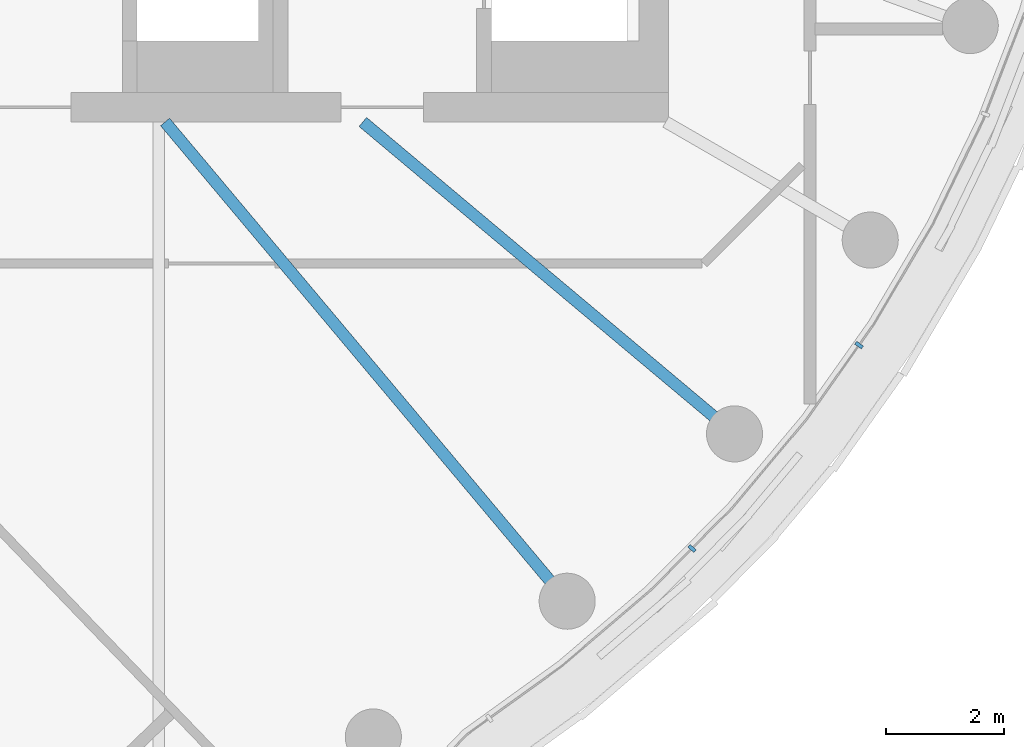
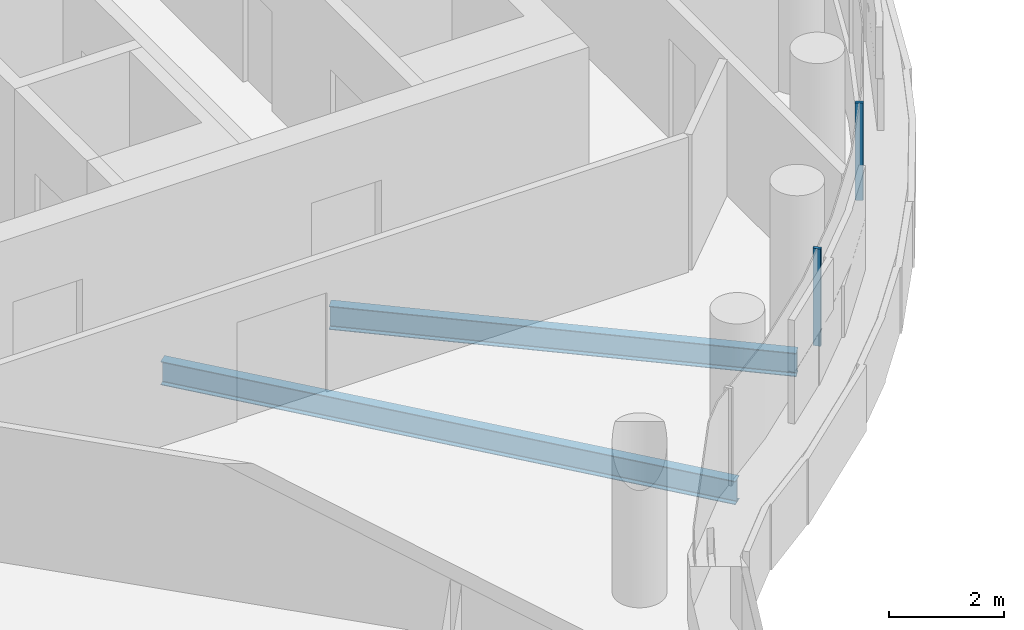
# One storey, part 8 of 34: 2 beams, 2 members, 1 element without a shape of its own.
"""IFC4 building model written with IfcOpenShell, lengths in metres."""

from ifc_helpers import new_model, si_unit, direction, frame, origin, origin_2d, place, context, subcontext, project, spatial, rectangle, i_section, extrude, material, layer, layer_set, material_profile, profile_set, type_object, element, aggregate, save


model = new_model("IFC4")

# Units and contexts
model_context = context("Model", 3, precision=1e-05, world=origin(), true_north=direction((0.0, 1.0)))
body_context = subcontext(model_context, "Body", "Model", "MODEL_VIEW")
ifc_project = project(units=[si_unit("LENGTHUNIT", "METRE"), si_unit("AREAUNIT", "SQUARE_METRE"), si_unit("VOLUMEUNIT", "CUBIC_METRE"), si_unit("PLANEANGLEUNIT", "RADIAN"), si_unit("MASSUNIT", "GRAM", prefix="KILO")], contexts=[model_context])

# Site, building, storey
site_placement = place(None, origin())
site = spatial("IfcSite", under=ifc_project, at=site_placement, CompositionType="ELEMENT")
building_placement = place(site_placement, origin())
building = spatial("IfcBuilding", under=site, at=building_placement, Name="Tamarind Cross Interchange Tower", CompositionType="ELEMENT")
storey_placement = place(building_placement, frame((0.0, 0.0, 193.300048828125)))
storey = spatial("IfcBuildingStorey", under=building, at=storey_placement, Name="L48", CompositionType="ELEMENT", Elevation=193.300048828125)

# Beams
ifc_material_1 = material(Name="Steel Q355B", Category="steel")
ifc_material_profile_1 = material_profile(ifc_material_1, i_section(OverallWidth=0.198974609375, OverallDepth=0.49609375, WebThickness=0.009033203125, FlangeThickness=0.013916015625, FilletRadius=0.012939453125, at=origin_2d()), Name="HN 496x199x9x14")
ifc_profile_set_1 = profile_set([ifc_material_profile_1], Name="Steel Q355B")
beam_type = type_object("IfcBeamType", Name="Composite beam HN 496x199x9x14 Q355B", PredefinedType="BEAM", material=ifc_profile_set_1)
beam_1_placement = place(storey_placement, frame((14.7841796875, -17.619140625, -0.387939453125), z_axis=(-0.642786293979, 0.766045547127, 0.0), x_axis=(-0.766045547127, -0.642786293979, 0.0)))
element("IfcBeam", 1, at=beam_1_placement, inside=storey, type_object=beam_type, Name="Beam HH31", PredefinedType="BEAM", context=body_context, shape_type="SweptSolid", body=[
    extrude(i_section(OverallWidth=0.198974609375, OverallDepth=0.49609375, WebThickness=0.009033203125, FlangeThickness=0.013916015625, FilletRadius=0.012939453125, at=origin_2d()), origin(), (0.0, 0.0, 1.0), 10.598876953125),
])
beam_2_placement = place(storey_placement, frame((17.619140625, -14.7841796875, -0.387939453125), z_axis=(-0.766040580814, 0.642792212574, 0.0), x_axis=(-0.642792212574, -0.766040580814, 0.0)))
element("IfcBeam", 2, at=beam_2_placement, inside=storey, type_object=beam_type, Name="Beam HH32", PredefinedType="BEAM", context=body_context, shape_type="SweptSolid", body=[
    extrude(i_section(OverallWidth=0.198974609375, OverallDepth=0.49609375, WebThickness=0.009033203125, FlangeThickness=0.013916015625, FilletRadius=0.012939453125, at=origin_2d()), origin(), (0.0, 0.0, 1.0), 8.220703125),
])

# Curtain wall, members
ifc_material_2 = material(Name="Aluminium 6063-T6", Category="aluminium")
ifc_layer = layer(ifc_material_2, 0.139892578125)
ifc_layer_set = layer_set([ifc_layer], Name="Aluminium 6063-T6")
curtain_wall_type = type_object("IfcCurtainWallType", Name="Hotel curtain wall, 4.5 m bays", PredefinedType="NOTDEFINED", material=ifc_layer_set)
curtain_wall_placement = place(storey_placement, origin())
curtain_wall = element("IfcCurtainWall", 3, at=curtain_wall_placement, inside=storey, type_object=curtain_wall_type, Name="CWS-L48-06", PredefinedType="NOTDEFINED")
ifc_material_profile_2 = material_profile(ifc_material_2, rectangle(XDim=0.06005859375, YDim=0.139892578125, at=origin_2d()), Name="Mullion CW2")
ifc_profile_set_2 = profile_set([ifc_material_profile_2], Name="Aluminium 6063-T6")
member_type = type_object("IfcMemberType", Name="Mullion CW2", PredefinedType="MULLION", material=ifc_profile_set_2)
member_1_placement = place(storey_placement, frame((16.89794921875, -16.72509765625, 1.39990234375), z_axis=(0.0, 0.0, 1.0), x_axis=(0.704057148523, 0.710143317658, 0.0)))
member_1 = element("IfcMember", 4, at=member_1_placement, type_object=member_type, Name="CWM-L48-06-02", PredefinedType="MULLION", context=body_context, shape_type="SweptSolid", body=[
    extrude(rectangle(XDim=0.06005859375, YDim=0.139892578125, at=origin_2d()), origin(), (0.0, 0.0, 1.0), 2.06005859375),
])
member_2_placement = place(storey_placement, frame((19.728515625, -13.280029296875, 1.39990234375), z_axis=(0.0, 0.0, 1.0), x_axis=(0.577568978284, 0.816341886298, 0.0)))
member_2 = element("IfcMember", 5, at=member_2_placement, type_object=member_type, Name="CWM-L48-06-03", PredefinedType="MULLION", context=body_context, shape_type="SweptSolid", body=[
    extrude(rectangle(XDim=0.06005859375, YDim=0.139892578125, at=origin_2d()), origin(), (0.0, 0.0, 1.0), 2.06005859375),
])
aggregate(curtain_wall, [member_1, member_2])

save(model, "model.ifc")
